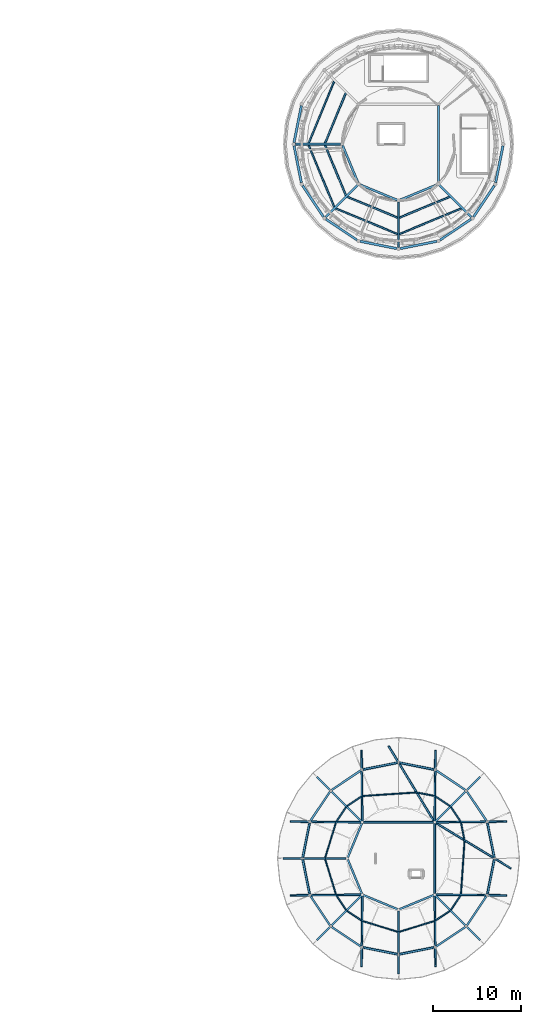
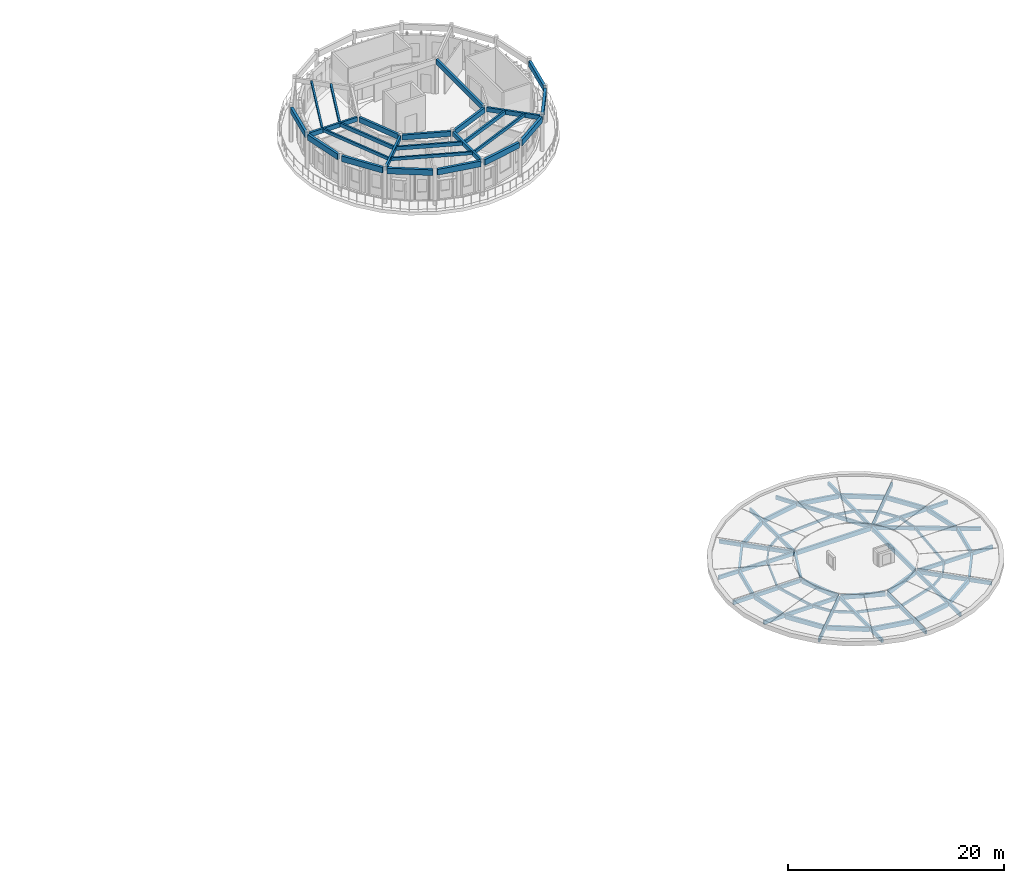
# One storey, part 9 of 37: 47 beams, 32 members.
"""IFC4 building model written with IfcOpenShell, lengths in metres."""

from ifc_helpers import new_model, si_unit, direction, frame, origin, origin_2d, place, context, subcontext, project, spatial, rectangle, extrude, material, material_profile, profile_set, type_object, element, save


model = new_model("IFC4")

# Units and contexts
model_context = context("Model", 3, precision=1e-05, world=origin(), true_north=direction((0.0, 1.0)))
body_context = subcontext(model_context, "Body", "Model", "MODEL_VIEW")
ifc_project = project(units=[si_unit("LENGTHUNIT", "METRE"), si_unit("AREAUNIT", "SQUARE_METRE"), si_unit("VOLUMEUNIT", "CUBIC_METRE"), si_unit("PLANEANGLEUNIT", "RADIAN"), si_unit("MASSUNIT", "GRAM", prefix="KILO")], contexts=[model_context])

# Site, building, storey
site_placement = place(None, origin())
site = spatial("IfcSite", under=ifc_project, at=site_placement, CompositionType="ELEMENT")
building_placement = place(site_placement, origin())
building = spatial("IfcBuilding", under=site, at=building_placement, Name="Aldenvaro Health Centre", CompositionType="ELEMENT")
storey_placement = place(building_placement, frame((0.0, 0.0, 12.949951171875)))
storey = spatial("IfcBuildingStorey", under=building, at=storey_placement, Name="L03", CompositionType="ELEMENT", Elevation=12.949951171875)

# Beams
ifc_material = material(Name="Glulam GL28h", Category="wood")
ifc_material_profile_1 = material_profile(ifc_material, rectangle(XDim=0.175048828125, YDim=0.35009765625, at=origin_2d()), Name="GL 175x350", Category="wood")
ifc_profile_set_1 = profile_set([ifc_material_profile_1], Name="Glulam GL28h")
beam_type_1 = type_object("IfcBeamType", Name="BM-GL-350", PredefinedType="JOIST", material=ifc_profile_set_1)
for number, where, z_axis, x_axis, name in (
    (1, (147.220947265625, 106.637939453125, 3.78515625), (-0.382732904244, -0.923859039036, 0.0), (0.923859039036, -0.382732904244, 0.0), "D2 L03 secondary joist 02.2"),
    (2, (144.304931640625, 99.40087890625, 3.78515625), (0.382732904244, -0.923859039036, 0.0), (0.923859039036, 0.382732904244, 0.0), "D2 L03 secondary joist 03.2"),
    (3, (147.362060546875, 92.220947265625, 3.78515625), (0.923859039036, -0.382732904244, 0.0), (0.382732904244, 0.923859039036, 0.0), "D2 L03 secondary joist 04.2"),
    (4, (154.59912109375, 89.304931640625, 3.78515625), (0.923859039036, 0.382732904244, 0.0), (-0.382732904244, 0.923859039036, 0.0), "D2 L03 secondary joist 05.2"),
):
    element("IfcBeam", number, at=place(storey_placement, frame(where, z_axis=z_axis, x_axis=x_axis)), inside=storey, type_object=beam_type_1, Name=name, PredefinedType="JOIST", context=body_context, shape_type="SweptSolid", body=[
        extrude(rectangle(XDim=0.175048828125, YDim=0.35009765625, at=origin_2d()), origin(), (0.0, 0.0, 1.0), 7.618896484375),
    ])
ifc_material_profile_2 = material_profile(ifc_material, rectangle(XDim=0.18994140625, YDim=0.41796875, at=origin_2d()), Name="GL 190x418", Category="wood")
ifc_profile_set_2 = profile_set([ifc_material_profile_2], Name="Glulam GL28h")
beam_type_2 = type_object("IfcBeamType", Name="BM-GL-418", PredefinedType="JOIST", material=ifc_profile_set_2)
for number, where, z_axis, x_axis, name in (
    (5, (148.5390625, 105.321044921875, 3.7509765625), (-0.382820589001, -0.923822708444, 0.0), (0.923822708444, -0.382820589001, 0.0), "D2 L03 secondary joist 02.1"),
    (6, (146.16796875, 99.40087890625, 3.7509765625), (0.382820589001, -0.923822708444, 0.0), (0.923822708444, 0.382820589001, 0.0), "D2 L03 secondary joist 03.1"),
    (7, (148.678955078125, 93.5390625, 3.7509765625), (0.923822708444, -0.382820589001, 0.0), (0.382820589001, 0.923822708444, 0.0), "D2 L03 secondary joist 04.1"),
    (8, (154.59912109375, 91.16796875, 3.7509765625), (0.923822708444, 0.382820589001, 0.0), (-0.382820589001, 0.923822708444, 0.0), "D2 L03 secondary joist 05.1"),
):
    element("IfcBeam", number, at=place(storey_placement, frame(where, z_axis=z_axis, x_axis=x_axis)), inside=storey, type_object=beam_type_2, Name=name, PredefinedType="JOIST", context=body_context, shape_type="SweptSolid", body=[
        extrude(rectangle(XDim=0.18994140625, YDim=0.41796875, at=origin_2d()), origin(), (0.0, 0.0, 1.0), 6.19384765625),
    ])
ifc_material_profile_3 = material_profile(ifc_material, rectangle(XDim=0.215087890625, YDim=0.493896484375, at=origin_2d()), Name="GL 215x494", Category="wood")
ifc_profile_set_3 = profile_set([ifc_material_profile_3], Name="Glulam GL28h")
beam_type_3 = type_object("IfcBeamType", Name="BM-GL-494", PredefinedType="BEAM", material=ifc_profile_set_3)
beam_1_placement = place(storey_placement, frame((147.94189453125, 99.5, 3.713134765625), z_axis=(-1.0, 0.0, 0.0), x_axis=(0.0, -1.0, 0.0)))
element("IfcBeam", 9, at=beam_1_placement, inside=storey, type_object=beam_type_3, Name="D2 L03 radial beam 03", PredefinedType="BEAM", context=body_context, shape_type="SweptSolid", body=[
    extrude(rectangle(XDim=0.215087890625, YDim=0.493896484375, at=origin_2d()), origin(), (0.0, 0.0, 1.0), 5.1318359375),
])
beam_2_placement = place(storey_placement, frame((149.864013671875, 94.864013671875, 3.713134765625), z_axis=(-0.707106781187, -0.707106781187, 0.0), x_axis=(0.707106781187, -0.707106781187, 0.0)))
element("IfcBeam", 10, at=beam_2_placement, inside=storey, type_object=beam_type_3, Name="D2 L03 radial beam 04", PredefinedType="BEAM", context=body_context, shape_type="SweptSolid", body=[
    extrude(rectangle(XDim=0.215087890625, YDim=0.493896484375, at=origin_2d()), origin(), (0.0, 0.0, 1.0), 5.1337890625),
])
beam_3_placement = place(storey_placement, frame((154.5, 92.94189453125, 3.713134765625), z_axis=(0.0, -1.0, 0.0), x_axis=(1.0, 0.0, 0.0)))
element("IfcBeam", 11, at=beam_3_placement, inside=storey, type_object=beam_type_3, Name="D2 L03 radial beam 05", PredefinedType="BEAM", context=body_context, shape_type="SweptSolid", body=[
    extrude(rectangle(XDim=0.215087890625, YDim=0.493896484375, at=origin_2d()), origin(), (0.0, 0.0, 1.0), 5.1318359375),
])
beam_4_placement = place(storey_placement, frame((159.135986328125, 94.864013671875, 3.713134765625), z_axis=(0.707106781187, -0.707106781187, 0.0), x_axis=(0.707106781187, 0.707106781187, 0.0)))
element("IfcBeam", 12, at=beam_4_placement, inside=storey, type_object=beam_type_3, Name="D2 L03 radial beam 06", PredefinedType="BEAM", context=body_context, shape_type="SweptSolid", body=[
    extrude(rectangle(XDim=0.215087890625, YDim=0.493896484375, at=origin_2d()), origin(), (0.0, 0.0, 1.0), 5.1337890625),
])
beam_5_placement = place(storey_placement, frame((158.468994140625, 22.60107421875, 0.373046875), z_axis=(-1.0, 0.0, 0.0), x_axis=(0.0, -1.0, 0.0)))
element("IfcBeam", 13, at=beam_5_placement, inside=storey, type_object=beam_type_3, Name="D6 Roof Hub Ring 01", PredefinedType="BEAM", context=body_context, shape_type="SweptSolid", body=[
    extrude(rectangle(XDim=0.215087890625, YDim=0.493896484375, at=origin_2d()), origin(), (0.0, 0.0, 1.0), 7.93798828125),
])
for number, where, z_axis, x_axis, name in (
    (14, (150.347900390625, 22.47900390625, 0.373046875), (-0.382546356155, -0.923936299424, 0.0), (0.923936299424, -0.382546356155, 0.0), "D6 Roof Hub Ring 02"),
    (15, (148.7509765625, 18.3779296875, 0.373046875), (0.382546356155, -0.923936299424, 0.0), (0.923936299424, 0.382546356155, 0.0), "D6 Roof Hub Ring 03"),
    (16, (150.52099609375, 14.347900390625, 0.373046875), (0.923936299424, -0.382546356155, 0.0), (0.382546356155, 0.923936299424, 0.0), "D6 Roof Hub Ring 04"),
    (17, (154.6220703125, 12.7509765625, 0.373046875), (0.923936299424, 0.382546356155, 0.0), (-0.382546356155, 0.923936299424, 0.0), "D6 Roof Hub Ring 05"),
):
    element("IfcBeam", number, at=place(storey_placement, frame(where, z_axis=z_axis, x_axis=x_axis)), inside=storey, type_object=beam_type_3, Name=name, PredefinedType="BEAM", context=body_context, shape_type="SweptSolid", body=[
        extrude(rectangle(XDim=0.215087890625, YDim=0.493896484375, at=origin_2d()), origin(), (0.0, 0.0, 1.0), 4.174560546875),
    ])
beam_6_placement = place(storey_placement, frame((158.60107421875, 14.531005859375, 0.373046875), z_axis=(0.0, 1.0, 0.0), x_axis=(-1.0, 0.0, 0.0)))
element("IfcBeam", 18, at=beam_6_placement, inside=storey, type_object=beam_type_3, Name="D6 Roof Hub Ring 06", PredefinedType="BEAM", context=body_context, shape_type="SweptSolid", body=[
    extrude(rectangle(XDim=0.215087890625, YDim=0.493896484375, at=origin_2d()), origin(), (0.0, 0.0, 1.0), 7.93701171875),
])
beam_7_placement = place(storey_placement, frame((165.35400390625, 18.6298828125, 0.373046875), z_axis=(-0.194983667646, 0.980806489248, 0.0), x_axis=(-0.980806489248, -0.194983667646, 0.0)))
element("IfcBeam", 19, at=beam_7_placement, inside=storey, type_object=beam_type_3, Name="D6 Roof Eave Ring 01", PredefinedType="BEAM", context=body_context, shape_type="SweptSolid", body=[
    extrude(rectangle(XDim=0.215087890625, YDim=0.493896484375, at=origin_2d()), origin(), (0.0, 0.0, 1.0), 3.98046875),
])
for number, where, z_axis, x_axis, name in (
    (20, (164.47802734375, 22.77392578125, 0.373046875), (-0.555549313242, 0.831483590071, 0.0), (-0.831483590071, -0.555549313242, 0.0), "D6 Roof Eave Ring 02"),
    (21, (162.0830078125, 26.26708984375, 0.373046875), (-0.831483590071, 0.555549313242, 0.0), (-0.555549313242, -0.831483590071, 0.0), "D6 Roof Eave Ring 03"),
):
    element("IfcBeam", number, at=place(storey_placement, frame(where, z_axis=z_axis, x_axis=x_axis)), inside=storey, type_object=beam_type_3, Name=name, PredefinedType="BEAM", context=body_context, shape_type="SweptSolid", body=[
        extrude(rectangle(XDim=0.215087890625, YDim=0.493896484375, at=origin_2d()), origin(), (0.0, 0.0, 1.0), 3.979736328125),
    ])
for number, where, z_axis, x_axis, name in (
    (22, (158.533935546875, 28.577880859375, 0.373046875), (-0.980806489248, 0.194983667646, 0.0), (-0.194983667646, -0.980806489248, 0.0), "D6 Roof Eave Ring 04"),
    (23, (154.3701171875, 29.35400390625, 0.373046875), (-0.980806489248, -0.194983667646, 0.0), (0.194983667646, -0.980806489248, 0.0), "D6 Roof Eave Ring 05"),
):
    element("IfcBeam", number, at=place(storey_placement, frame(where, z_axis=z_axis, x_axis=x_axis)), inside=storey, type_object=beam_type_3, Name=name, PredefinedType="BEAM", context=body_context, shape_type="SweptSolid", body=[
        extrude(rectangle(XDim=0.215087890625, YDim=0.493896484375, at=origin_2d()), origin(), (0.0, 0.0, 1.0), 3.98046875),
    ])
for number, where, z_axis, x_axis, name in (
    (24, (150.22607421875, 28.47802734375, 0.373046875), (-0.831483590071, -0.555549313242, 0.0), (0.555549313242, -0.831483590071, 0.0), "D6 Roof Eave Ring 06"),
    (25, (146.73291015625, 26.0830078125, 0.373046875), (-0.555549313242, -0.831483590071, 0.0), (0.831483590071, -0.555549313242, 0.0), "D6 Roof Eave Ring 07"),
):
    element("IfcBeam", number, at=place(storey_placement, frame(where, z_axis=z_axis, x_axis=x_axis)), inside=storey, type_object=beam_type_3, Name=name, PredefinedType="BEAM", context=body_context, shape_type="SweptSolid", body=[
        extrude(rectangle(XDim=0.215087890625, YDim=0.493896484375, at=origin_2d()), origin(), (0.0, 0.0, 1.0), 3.979736328125),
    ])
for number, where, z_axis, x_axis, name in (
    (26, (144.422119140625, 22.533935546875, 0.373046875), (-0.194983667646, -0.980806489248, 0.0), (0.980806489248, -0.194983667646, 0.0), "D6 Roof Eave Ring 08"),
    (27, (143.64599609375, 18.3701171875, 0.373046875), (0.194983667646, -0.980806489248, 0.0), (0.980806489248, 0.194983667646, 0.0), "D6 Roof Eave Ring 09"),
):
    element("IfcBeam", number, at=place(storey_placement, frame(where, z_axis=z_axis, x_axis=x_axis)), inside=storey, type_object=beam_type_3, Name=name, PredefinedType="BEAM", context=body_context, shape_type="SweptSolid", body=[
        extrude(rectangle(XDim=0.215087890625, YDim=0.493896484375, at=origin_2d()), origin(), (0.0, 0.0, 1.0), 3.98046875),
    ])
for number, where, z_axis, x_axis, name in (
    (28, (144.52197265625, 14.22607421875, 0.373046875), (0.555549313242, -0.831483590071, 0.0), (0.831483590071, 0.555549313242, 0.0), "D6 Roof Eave Ring 10"),
    (29, (146.9169921875, 10.73291015625, 0.373046875), (0.831483590071, -0.555549313242, 0.0), (0.555549313242, 0.831483590071, 0.0), "D6 Roof Eave Ring 11"),
):
    element("IfcBeam", number, at=place(storey_placement, frame(where, z_axis=z_axis, x_axis=x_axis)), inside=storey, type_object=beam_type_3, Name=name, PredefinedType="BEAM", context=body_context, shape_type="SweptSolid", body=[
        extrude(rectangle(XDim=0.215087890625, YDim=0.493896484375, at=origin_2d()), origin(), (0.0, 0.0, 1.0), 3.979736328125),
    ])
for number, where, z_axis, x_axis, name in (
    (30, (150.466064453125, 8.422119140625, 0.373046875), (0.980806489248, -0.194983667646, 0.0), (0.194983667646, 0.980806489248, 0.0), "D6 Roof Eave Ring 12"),
    (31, (154.6298828125, 7.64599609375, 0.373046875), (0.980806489248, 0.194983667646, 0.0), (-0.194983667646, 0.980806489248, 0.0), "D6 Roof Eave Ring 13"),
):
    element("IfcBeam", number, at=place(storey_placement, frame(where, z_axis=z_axis, x_axis=x_axis)), inside=storey, type_object=beam_type_3, Name=name, PredefinedType="BEAM", context=body_context, shape_type="SweptSolid", body=[
        extrude(rectangle(XDim=0.215087890625, YDim=0.493896484375, at=origin_2d()), origin(), (0.0, 0.0, 1.0), 3.98046875),
    ])
for number, where, z_axis, x_axis, name in (
    (32, (158.77392578125, 8.52197265625, 0.373046875), (0.831483590071, 0.555549313242, 0.0), (-0.555549313242, 0.831483590071, 0.0), "D6 Roof Eave Ring 14"),
    (33, (162.26708984375, 10.9169921875, 0.373046875), (0.555549313242, 0.831483590071, 0.0), (-0.831483590071, 0.555549313242, 0.0), "D6 Roof Eave Ring 15"),
):
    element("IfcBeam", number, at=place(storey_placement, frame(where, z_axis=z_axis, x_axis=x_axis)), inside=storey, type_object=beam_type_3, Name=name, PredefinedType="BEAM", context=body_context, shape_type="SweptSolid", body=[
        extrude(rectangle(XDim=0.215087890625, YDim=0.493896484375, at=origin_2d()), origin(), (0.0, 0.0, 1.0), 3.979736328125),
    ])
beam_8_placement = place(storey_placement, frame((164.577880859375, 14.466064453125, 0.373046875), z_axis=(0.194983667646, 0.980806489248, 0.0), x_axis=(-0.980806489248, 0.194983667646, 0.0)))
element("IfcBeam", 34, at=beam_8_placement, inside=storey, type_object=beam_type_3, Name="D6 Roof Eave Ring 16", PredefinedType="BEAM", context=body_context, shape_type="SweptSolid", body=[
    extrude(rectangle(XDim=0.215087890625, YDim=0.493896484375, at=origin_2d()), origin(), (0.0, 0.0, 1.0), 3.98046875),
])
ifc_material_profile_4 = material_profile(ifc_material, rectangle(XDim=0.239990234375, YDim=0.570068359375, at=origin_2d()), Name="GL 240x570", Category="wood")
ifc_profile_set_4 = profile_set([ifc_material_profile_4], Name="Glulam GL28h")
beam_type_4 = type_object("IfcBeamType", Name="BM-GL-570", PredefinedType="BEAM", material=ifc_profile_set_4)
for number, where, z_axis, x_axis, name in (
    (35, (148.159912109375, 99.35400390625, 3.675048828125), (0.383018349217, -0.923740734277, 0.0), (0.923740734277, 0.383018349217, 0.0), "D2 L03 inner ring beam 03"),
    (36, (150.12109375, 94.9150390625, 3.675048828125), (0.923740734277, -0.383018349217, 0.0), (0.383018349217, 0.923740734277, 0.0), "D2 L03 inner ring beam 04"),
    (37, (154.64599609375, 93.159912109375, 3.675048828125), (0.923740734277, 0.383018349217, 0.0), (-0.383018349217, 0.923740734277, 0.0), "D2 L03 inner ring beam 05"),
):
    element("IfcBeam", number, at=place(storey_placement, frame(where, z_axis=z_axis, x_axis=x_axis)), inside=storey, type_object=beam_type_4, Name=name, PredefinedType="BEAM", context=body_context, shape_type="SweptSolid", body=[
        extrude(rectangle(XDim=0.239990234375, YDim=0.570068359375, at=origin_2d()), origin(), (0.0, 0.0, 1.0), 4.582275390625),
    ])
beam_9_placement = place(storey_placement, frame((159.02490234375, 95.132080078125, 3.675048828125), z_axis=(0.0, 1.0, 0.0), x_axis=(-1.0, 0.0, 0.0)))
element("IfcBeam", 38, at=beam_9_placement, inside=storey, type_object=beam_type_4, Name="D2 L03 inner ring beam 06", PredefinedType="BEAM", context=body_context, shape_type="SweptSolid", body=[
    extrude(rectangle(XDim=0.239990234375, YDim=0.570068359375, at=origin_2d()), origin(), (0.0, 0.0, 1.0), 8.73583984375),
])
ifc_material_profile_5 = material_profile(ifc_material, rectangle(XDim=0.264892578125, YDim=0.64599609375, at=origin_2d()), Name="GL 265x646", Category="wood")
ifc_profile_set_5 = profile_set([ifc_material_profile_5], Name="Glulam GL28h")
beam_type_5 = type_object("IfcBeamType", Name="BM-GL-646", PredefinedType="SPANDREL", material=ifc_profile_set_5)
for number, where, z_axis, x_axis, name in (
    (39, (143.487060546875, 103.860107421875, 3.636962890625), (-0.195045913516, -0.980794112758, 0.0), (0.980794112758, -0.195045913516, 0.0), "D2 L03 perimeter spandrel 08"),
    (40, (142.656982421875, 99.31396484375, 3.636962890625), (0.195045913516, -0.980794112758, 0.0), (0.980794112758, 0.195045913516, 0.0), "D2 L03 perimeter spandrel 09"),
):
    element("IfcBeam", number, at=place(storey_placement, frame(where, z_axis=z_axis, x_axis=x_axis)), inside=storey, type_object=beam_type_5, Name=name, PredefinedType="SPANDREL", context=body_context, shape_type="SweptSolid", body=[
        extrude(rectangle(XDim=0.264892578125, YDim=0.64599609375, at=origin_2d()), origin(), (0.0, 0.0, 1.0), 4.255859375),
    ])
for number, where, z_axis, x_axis, name in (
    (41, (143.6298828125, 94.7958984375, 3.636962890625), (0.55558702646, -0.831458391039, 0.0), (0.831458391039, 0.55558702646, 0.0), "D2 L03 perimeter spandrel 10"),
    (42, (146.258056640625, 90.993896484375, 3.636962890625), (0.831458391039, -0.55558702646, 0.0), (0.55558702646, 0.831458391039, 0.0), "D2 L03 perimeter spandrel 11"),
):
    element("IfcBeam", number, at=place(storey_placement, frame(where, z_axis=z_axis, x_axis=x_axis)), inside=storey, type_object=beam_type_5, Name=name, PredefinedType="SPANDREL", context=body_context, shape_type="SweptSolid", body=[
        extrude(rectangle(XDim=0.264892578125, YDim=0.64599609375, at=origin_2d()), origin(), (0.0, 0.0, 1.0), 4.2548828125),
    ])
for number, where, z_axis, x_axis, name in (
    (43, (150.139892578125, 88.487060546875, 3.636962890625), (0.980794112758, -0.195045913516, 0.0), (0.195045913516, 0.980794112758, 0.0), "D2 L03 perimeter spandrel 12"),
    (44, (154.68603515625, 87.656982421875, 3.636962890625), (0.980794112758, 0.195045913516, 0.0), (-0.195045913516, 0.980794112758, 0.0), "D2 L03 perimeter spandrel 13"),
):
    element("IfcBeam", number, at=place(storey_placement, frame(where, z_axis=z_axis, x_axis=x_axis)), inside=storey, type_object=beam_type_5, Name=name, PredefinedType="SPANDREL", context=body_context, shape_type="SweptSolid", body=[
        extrude(rectangle(XDim=0.264892578125, YDim=0.64599609375, at=origin_2d()), origin(), (0.0, 0.0, 1.0), 4.255859375),
    ])
for number, where, z_axis, x_axis, name in (
    (45, (159.2041015625, 88.6298828125, 3.636962890625), (0.831458391039, 0.55558702646, 0.0), (-0.55558702646, 0.831458391039, 0.0), "D2 L03 perimeter spandrel 14"),
    (46, (163.006103515625, 91.258056640625, 3.636962890625), (0.55558702646, 0.831458391039, 0.0), (-0.831458391039, 0.55558702646, 0.0), "D2 L03 perimeter spandrel 15"),
):
    element("IfcBeam", number, at=place(storey_placement, frame(where, z_axis=z_axis, x_axis=x_axis)), inside=storey, type_object=beam_type_5, Name=name, PredefinedType="SPANDREL", context=body_context, shape_type="SweptSolid", body=[
        extrude(rectangle(XDim=0.264892578125, YDim=0.64599609375, at=origin_2d()), origin(), (0.0, 0.0, 1.0), 4.2548828125),
    ])
beam_10_placement = place(storey_placement, frame((165.512939453125, 95.139892578125, 3.636962890625), z_axis=(0.195045913516, 0.980794112758, 0.0), x_axis=(-0.980794112758, 0.195045913516, 0.0)))
element("IfcBeam", 47, at=beam_10_placement, inside=storey, type_object=beam_type_5, Name="D2 L03 perimeter spandrel 16", PredefinedType="SPANDREL", context=body_context, shape_type="SweptSolid", body=[
    extrude(rectangle(XDim=0.264892578125, YDim=0.64599609375, at=origin_2d()), origin(), (0.0, 0.0, 1.0), 4.255859375),
])

# Members
ifc_material_profile_6 = material_profile(ifc_material, rectangle(XDim=0.139892578125, YDim=0.280029296875, at=origin_2d()), Name="GL 140x280", Category="wood")
ifc_profile_set_6 = profile_set([ifc_material_profile_6], Name="Glulam GL28h")
member_type_1 = type_object("IfcMemberType", Name="MEM-PR-280", PredefinedType="PURLIN", material=ifc_profile_set_6)
member_1_placement = place(storey_placement, frame((161.968994140625, 20.657958984375, 0.47998046875), z_axis=(-0.194956715992, 0.980811846834, 0.0), x_axis=(-0.980811846834, -0.194956715992, 0.0)))
element("IfcMember", 48, at=member_1_placement, inside=storey, type_object=member_type_1, Name="D6 Roof Purlin 01", PredefinedType="PURLIN", context=body_context, shape_type="SweptSolid", body=[
    extrude(rectangle(XDim=0.139892578125, YDim=0.280029296875, at=origin_2d()), origin(), (0.0, 0.0, 1.0), 1.903564453125),
])
for number, where, z_axis, x_axis, name in (
    (49, (161.514892578125, 22.72412109375, 0.47998046875), (-0.555558752675, 0.831477283109, 0.0), (-0.831477283109, -0.555558752675, 0.0), "D6 Roof Purlin 02"),
    (50, (160.305908203125, 24.4580078125, 0.47998046875), (-0.831477283109, 0.555558752675, 0.0), (-0.555558752675, -0.831477283109, 0.0), "D6 Roof Purlin 03"),
):
    element("IfcMember", number, at=place(storey_placement, frame(where, z_axis=z_axis, x_axis=x_axis)), inside=storey, type_object=member_type_1, Name=name, PredefinedType="PURLIN", context=body_context, shape_type="SweptSolid", body=[
        extrude(rectangle(XDim=0.139892578125, YDim=0.280029296875, at=origin_2d()), origin(), (0.0, 0.0, 1.0), 1.90234375),
    ])
member_2_placement = place(storey_placement, frame((158.52490234375, 25.597900390625, 0.47998046875), z_axis=(-0.980811846834, 0.194956715992, 0.0), x_axis=(-0.194956715992, -0.980811846834, 0.0)))
element("IfcMember", 51, at=member_2_placement, inside=storey, type_object=member_type_1, Name="D6 Roof Purlin 04", PredefinedType="PURLIN", context=body_context, shape_type="SweptSolid", body=[
    extrude(rectangle(XDim=0.139892578125, YDim=0.280029296875, at=origin_2d()), origin(), (0.0, 0.0, 1.0), 1.903564453125),
])
member_3_placement = place(storey_placement, frame((156.44091796875, 25.98291015625, 0.47998046875), z_axis=(-0.997770313097, -0.06674130881, 0.0), x_axis=(0.06674130881, -0.997770313097, 0.0)))
element("IfcMember", 52, at=member_3_placement, inside=storey, type_object=member_type_1, Name="D6 Roof Purlin 05", PredefinedType="PURLIN", context=body_context, shape_type="SweptSolid", body=[
    extrude(rectangle(XDim=0.139892578125, YDim=0.280029296875, at=origin_2d()), origin(), (0.0, 0.0, 1.0), 5.977294921875),
])
for number, where, z_axis, x_axis, name in (
    (53, (150.27587890625, 25.514892578125, 0.47998046875), (-0.831477283109, -0.555558752675, 0.0), (0.555558752675, -0.831477283109, 0.0), "D6 Roof Purlin 06"),
    (54, (148.5419921875, 24.305908203125, 0.47998046875), (-0.555558752675, -0.831477283109, 0.0), (0.831477283109, -0.555558752675, 0.0), "D6 Roof Purlin 07"),
):
    element("IfcMember", number, at=place(storey_placement, frame(where, z_axis=z_axis, x_axis=x_axis)), inside=storey, type_object=member_type_1, Name=name, PredefinedType="PURLIN", context=body_context, shape_type="SweptSolid", body=[
        extrude(rectangle(XDim=0.139892578125, YDim=0.280029296875, at=origin_2d()), origin(), (0.0, 0.0, 1.0), 1.90234375),
    ])
for number, where, z_axis, x_axis, name in (
    (55, (147.39111328125, 22.527099609375, 0.47998046875), (-0.292395472543, -0.956297489088, 0.0), (0.956297489088, -0.292395472543, 0.0), "D6 Roof Purlin 08"),
    (56, (146.19189453125, 18.39501953125, 0.47998046875), (0.292395472543, -0.956297489088, 0.0), (0.956297489088, 0.292395472543, 0.0), "D6 Roof Purlin 09"),
):
    element("IfcMember", number, at=place(storey_placement, frame(where, z_axis=z_axis, x_axis=x_axis)), inside=storey, type_object=member_type_1, Name=name, PredefinedType="PURLIN", context=body_context, shape_type="SweptSolid", body=[
        extrude(rectangle(XDim=0.139892578125, YDim=0.280029296875, at=origin_2d()), origin(), (0.0, 0.0, 1.0), 4.101318359375),
    ])
for number, where, z_axis, x_axis, name in (
    (57, (147.485107421875, 14.27587890625, 0.47998046875), (0.555558752675, -0.831477283109, 0.0), (0.831477283109, 0.555558752675, 0.0), "D6 Roof Purlin 10"),
    (58, (148.694091796875, 12.5419921875, 0.47998046875), (0.831477283109, -0.555558752675, 0.0), (0.555558752675, 0.831477283109, 0.0), "D6 Roof Purlin 11"),
):
    element("IfcMember", number, at=place(storey_placement, frame(where, z_axis=z_axis, x_axis=x_axis)), inside=storey, type_object=member_type_1, Name=name, PredefinedType="PURLIN", context=body_context, shape_type="SweptSolid", body=[
        extrude(rectangle(XDim=0.139892578125, YDim=0.280029296875, at=origin_2d()), origin(), (0.0, 0.0, 1.0), 1.90234375),
    ])
for number, where, z_axis, x_axis, name in (
    (59, (150.472900390625, 11.39111328125, 0.47998046875), (0.956297489088, -0.292395472543, 0.0), (0.292395472543, 0.956297489088, 0.0), "D6 Roof Purlin 12"),
    (60, (154.60498046875, 10.19189453125, 0.47998046875), (0.956297489088, 0.292395472543, 0.0), (-0.292395472543, 0.956297489088, 0.0), "D6 Roof Purlin 13"),
):
    element("IfcMember", number, at=place(storey_placement, frame(where, z_axis=z_axis, x_axis=x_axis)), inside=storey, type_object=member_type_1, Name=name, PredefinedType="PURLIN", context=body_context, shape_type="SweptSolid", body=[
        extrude(rectangle(XDim=0.139892578125, YDim=0.280029296875, at=origin_2d()), origin(), (0.0, 0.0, 1.0), 4.101318359375),
    ])
for number, where, z_axis, x_axis, name in (
    (61, (158.72412109375, 11.485107421875, 0.47998046875), (0.831477283109, 0.555558752675, 0.0), (-0.555558752675, 0.831477283109, 0.0), "D6 Roof Purlin 14"),
    (62, (160.4580078125, 12.694091796875, 0.47998046875), (0.555558752675, 0.831477283109, 0.0), (-0.831477283109, 0.555558752675, 0.0), "D6 Roof Purlin 15"),
):
    element("IfcMember", number, at=place(storey_placement, frame(where, z_axis=z_axis, x_axis=x_axis)), inside=storey, type_object=member_type_1, Name=name, PredefinedType="PURLIN", context=body_context, shape_type="SweptSolid", body=[
        extrude(rectangle(XDim=0.139892578125, YDim=0.280029296875, at=origin_2d()), origin(), (0.0, 0.0, 1.0), 1.90234375),
    ])
member_4_placement = place(storey_placement, frame((161.583984375, 14.47705078125, 0.47998046875), z_axis=(0.06674130881, 0.997770313097, 0.0), x_axis=(-0.997770313097, 0.06674130881, 0.0)))
element("IfcMember", 63, at=member_4_placement, inside=storey, type_object=member_type_1, Name="D6 Roof Purlin 16", PredefinedType="PURLIN", context=body_context, shape_type="SweptSolid", body=[
    extrude(rectangle(XDim=0.139892578125, YDim=0.280029296875, at=origin_2d()), origin(), (0.0, 0.0, 1.0), 5.977294921875),
])
ifc_material_profile_7 = material_profile(ifc_material, rectangle(XDim=0.18994140625, YDim=0.41796875, at=origin_2d()), Name="GL 190x418", Category="wood")
ifc_profile_set_7 = profile_set([ifc_material_profile_7], Name="Glulam GL28h")
member_type_2 = type_object("IfcMemberType", Name="MEM-RF-418", PredefinedType="RAFTER", material=ifc_profile_set_7)
member_5_placement = place(storey_placement, frame((167.261962890625, 17.361083984375, 0.4111328125), z_axis=(-0.855570774217, 0.51768586064, 0.0), x_axis=(-0.51768586064, -0.855570774217, 0.0)))
element("IfcMember", 64, at=member_5_placement, inside=storey, type_object=member_type_2, Name="D6 Radial Overhang Rafter 01", PredefinedType="RAFTER", context=body_context, shape_type="SweptSolid", body=[
    extrude(rectangle(XDim=0.18994140625, YDim=0.41796875, at=origin_2d()), origin(), (0.0, 0.0, 1.0), 9.98291015625),
])
member_6_placement = place(storey_placement, frame((166.751953125, 22.68701171875, 0.4111328125), z_axis=(-0.99994376587, -0.010604956283, 0.0), x_axis=(0.010604956283, -0.99994376587, 0.0)))
element("IfcMember", 65, at=member_6_placement, inside=storey, type_object=member_type_2, Name="D6 Radial Overhang Rafter 02", PredefinedType="RAFTER", context=body_context, shape_type="SweptSolid", body=[
    extrude(rectangle(XDim=0.18994140625, YDim=0.41796875, at=origin_2d()), origin(), (0.0, 0.0, 1.0), 8.011474609375),
])
member_7_placement = place(storey_placement, frame((163.7490234375, 27.7490234375, 0.4111328125), z_axis=(-0.707106781187, -0.707106781187, 0.0), x_axis=(0.707106781187, -0.707106781187, 0.0)))
element("IfcMember", 66, at=member_7_placement, inside=storey, type_object=member_type_2, Name="D6 Radial Overhang Rafter 03", PredefinedType="RAFTER", context=body_context, shape_type="SweptSolid", body=[
    extrude(rectangle(XDim=0.18994140625, YDim=0.41796875, at=origin_2d()), origin(), (0.0, 0.0, 1.0), 7.140380859375),
])
member_8_placement = place(storey_placement, frame((158.68701171875, 30.751953125, 0.4111328125), z_axis=(-0.010604956283, -0.99994376587, 0.0), x_axis=(0.99994376587, -0.010604956283, 0.0)))
element("IfcMember", 67, at=member_8_placement, inside=storey, type_object=member_type_2, Name="D6 Radial Overhang Rafter 04", PredefinedType="RAFTER", context=body_context, shape_type="SweptSolid", body=[
    extrude(rectangle(XDim=0.18994140625, YDim=0.41796875, at=origin_2d()), origin(), (0.0, 0.0, 1.0), 8.011474609375),
])
member_9_placement = place(storey_placement, frame((153.361083984375, 31.261962890625, 0.4111328125), z_axis=(0.51768586064, -0.855570774217, 0.0), x_axis=(0.855570774217, 0.51768586064, 0.0)))
element("IfcMember", 68, at=member_9_placement, inside=storey, type_object=member_type_2, Name="D6 Radial Overhang Rafter 05", PredefinedType="RAFTER", context=body_context, shape_type="SweptSolid", body=[
    extrude(rectangle(XDim=0.18994140625, YDim=0.41796875, at=origin_2d()), origin(), (0.0, 0.0, 1.0), 9.98291015625),
])
member_10_placement = place(storey_placement, frame((150.31298828125, 30.751953125, 0.4111328125), z_axis=(0.010604956283, -0.99994376587, 0.0), x_axis=(0.99994376587, 0.010604956283, 0.0)))
element("IfcMember", 69, at=member_10_placement, inside=storey, type_object=member_type_2, Name="D6 Radial Overhang Rafter 06", PredefinedType="RAFTER", context=body_context, shape_type="SweptSolid", body=[
    extrude(rectangle(XDim=0.18994140625, YDim=0.41796875, at=origin_2d()), origin(), (0.0, 0.0, 1.0), 8.011474609375),
])
member_11_placement = place(storey_placement, frame((145.2509765625, 27.7490234375, 0.4111328125), z_axis=(0.707106781187, -0.707106781187, 0.0), x_axis=(0.707106781187, 0.707106781187, 0.0)))
element("IfcMember", 70, at=member_11_placement, inside=storey, type_object=member_type_2, Name="D6 Radial Overhang Rafter 07", PredefinedType="RAFTER", context=body_context, shape_type="SweptSolid", body=[
    extrude(rectangle(XDim=0.18994140625, YDim=0.41796875, at=origin_2d()), origin(), (0.0, 0.0, 1.0), 7.140380859375),
])
member_12_placement = place(storey_placement, frame((142.248046875, 22.68701171875, 0.4111328125), z_axis=(0.99994376587, -0.010604956283, 0.0), x_axis=(0.010604956283, 0.99994376587, 0.0)))
element("IfcMember", 71, at=member_12_placement, inside=storey, type_object=member_type_2, Name="D6 Radial Overhang Rafter 08", PredefinedType="RAFTER", context=body_context, shape_type="SweptSolid", body=[
    extrude(rectangle(XDim=0.18994140625, YDim=0.41796875, at=origin_2d()), origin(), (0.0, 0.0, 1.0), 8.011474609375),
])
member_13_placement = place(storey_placement, frame((141.419921875, 18.5, 0.4111328125), z_axis=(1.0, 0.0, 0.0), x_axis=(0.0, 1.0, 0.0)))
element("IfcMember", 72, at=member_13_placement, inside=storey, type_object=member_type_2, Name="D6 Radial Overhang Rafter 09", PredefinedType="RAFTER", context=body_context, shape_type="SweptSolid", body=[
    extrude(rectangle(XDim=0.18994140625, YDim=0.41796875, at=origin_2d()), origin(), (0.0, 0.0, 1.0), 7.14013671875),
])
member_14_placement = place(storey_placement, frame((142.248046875, 14.31298828125, 0.4111328125), z_axis=(0.99994376587, 0.010604956283, 0.0), x_axis=(-0.010604956283, 0.99994376587, 0.0)))
element("IfcMember", 73, at=member_14_placement, inside=storey, type_object=member_type_2, Name="D6 Radial Overhang Rafter 10", PredefinedType="RAFTER", context=body_context, shape_type="SweptSolid", body=[
    extrude(rectangle(XDim=0.18994140625, YDim=0.41796875, at=origin_2d()), origin(), (0.0, 0.0, 1.0), 8.011474609375),
])
member_15_placement = place(storey_placement, frame((145.2509765625, 9.2509765625, 0.4111328125), z_axis=(0.707106781187, 0.707106781187, 0.0), x_axis=(-0.707106781187, 0.707106781187, 0.0)))
element("IfcMember", 74, at=member_15_placement, inside=storey, type_object=member_type_2, Name="D6 Radial Overhang Rafter 11", PredefinedType="RAFTER", context=body_context, shape_type="SweptSolid", body=[
    extrude(rectangle(XDim=0.18994140625, YDim=0.41796875, at=origin_2d()), origin(), (0.0, 0.0, 1.0), 7.140380859375),
])
member_16_placement = place(storey_placement, frame((150.31298828125, 6.248046875, 0.4111328125), z_axis=(0.010604956283, 0.99994376587, 0.0), x_axis=(-0.99994376587, 0.010604956283, 0.0)))
element("IfcMember", 75, at=member_16_placement, inside=storey, type_object=member_type_2, Name="D6 Radial Overhang Rafter 12", PredefinedType="RAFTER", context=body_context, shape_type="SweptSolid", body=[
    extrude(rectangle(XDim=0.18994140625, YDim=0.41796875, at=origin_2d()), origin(), (0.0, 0.0, 1.0), 8.011474609375),
])
member_17_placement = place(storey_placement, frame((154.5, 5.419921875, 0.4111328125), z_axis=(0.0, 1.0, 0.0), x_axis=(-1.0, 0.0, 0.0)))
element("IfcMember", 76, at=member_17_placement, inside=storey, type_object=member_type_2, Name="D6 Radial Overhang Rafter 13", PredefinedType="RAFTER", context=body_context, shape_type="SweptSolid", body=[
    extrude(rectangle(XDim=0.18994140625, YDim=0.41796875, at=origin_2d()), origin(), (0.0, 0.0, 1.0), 7.14013671875),
])
member_18_placement = place(storey_placement, frame((158.68701171875, 6.248046875, 0.4111328125), z_axis=(-0.010604956283, 0.99994376587, 0.0), x_axis=(-0.99994376587, -0.010604956283, 0.0)))
element("IfcMember", 77, at=member_18_placement, inside=storey, type_object=member_type_2, Name="D6 Radial Overhang Rafter 14", PredefinedType="RAFTER", context=body_context, shape_type="SweptSolid", body=[
    extrude(rectangle(XDim=0.18994140625, YDim=0.41796875, at=origin_2d()), origin(), (0.0, 0.0, 1.0), 8.011474609375),
])
member_19_placement = place(storey_placement, frame((163.7490234375, 9.2509765625, 0.4111328125), z_axis=(-0.707106781187, 0.707106781187, 0.0), x_axis=(-0.707106781187, -0.707106781187, 0.0)))
element("IfcMember", 78, at=member_19_placement, inside=storey, type_object=member_type_2, Name="D6 Radial Overhang Rafter 15", PredefinedType="RAFTER", context=body_context, shape_type="SweptSolid", body=[
    extrude(rectangle(XDim=0.18994140625, YDim=0.41796875, at=origin_2d()), origin(), (0.0, 0.0, 1.0), 7.140380859375),
])
member_20_placement = place(storey_placement, frame((166.751953125, 14.31298828125, 0.4111328125), z_axis=(-0.99994376587, 0.010604956283, 0.0), x_axis=(-0.010604956283, -0.99994376587, 0.0)))
element("IfcMember", 79, at=member_20_placement, inside=storey, type_object=member_type_2, Name="D6 Radial Overhang Rafter 16", PredefinedType="RAFTER", context=body_context, shape_type="SweptSolid", body=[
    extrude(rectangle(XDim=0.18994140625, YDim=0.41796875, at=origin_2d()), origin(), (0.0, 0.0, 1.0), 8.011474609375),
])

save(model, "model.ifc")
